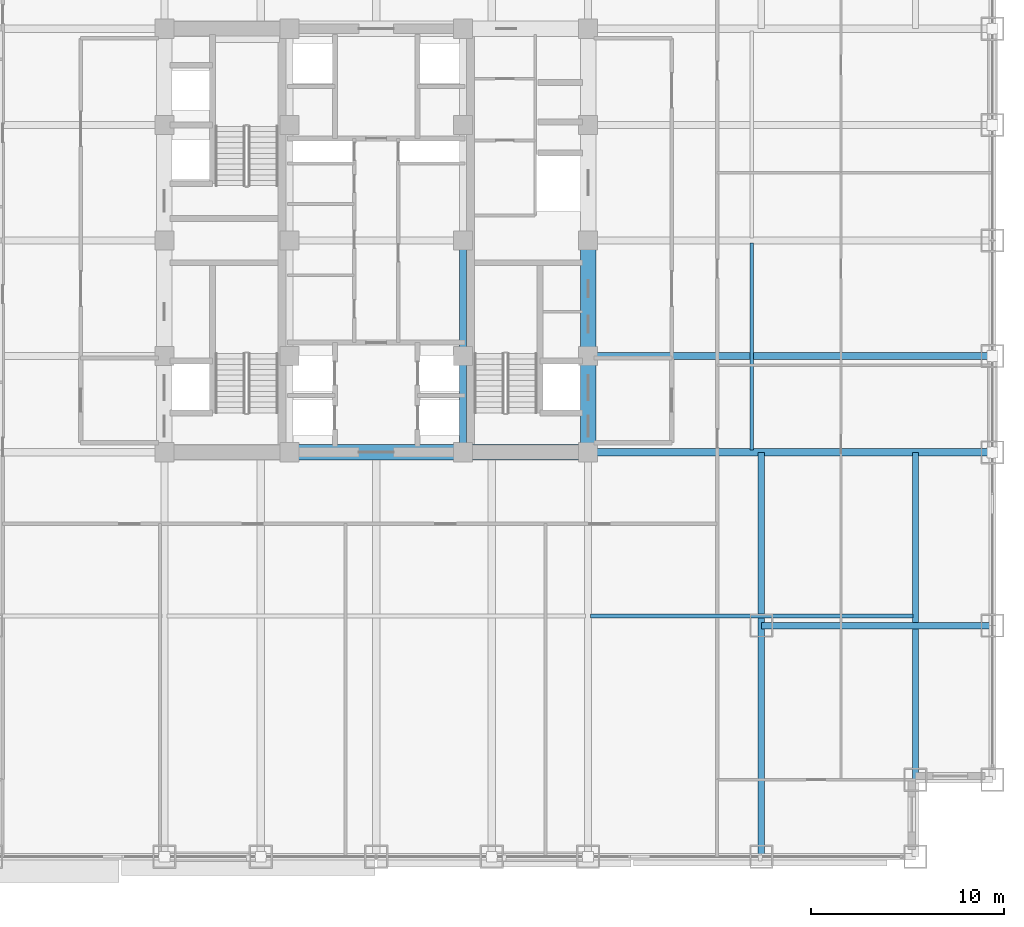
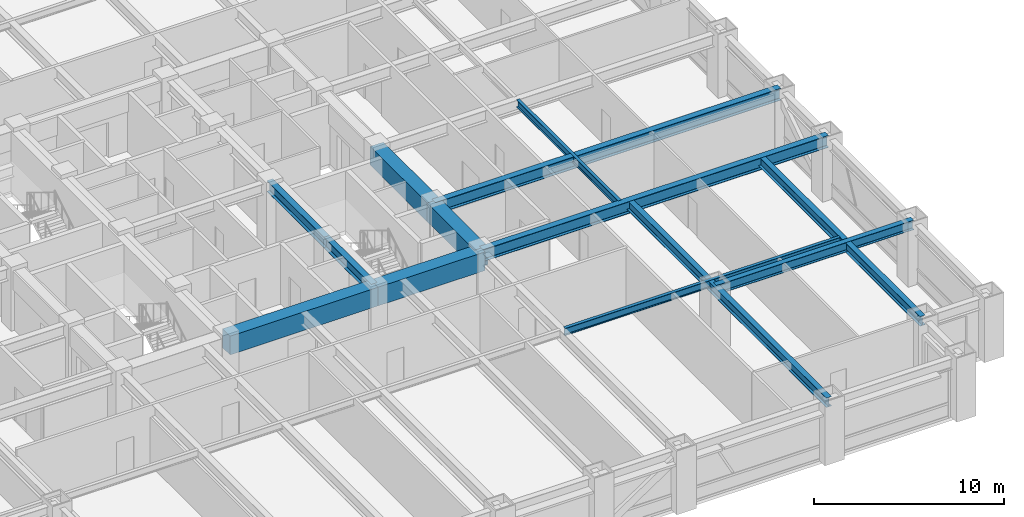
# One storey, part 7 of 32: 13 beams.
"""IFC4 building model written with IfcOpenShell, lengths in metres."""

from ifc_helpers import new_model, si_unit, direction, frame, origin, origin_2d, place, context, subcontext, project, spatial, rectangle, i_section, extrude, source, transform, mapped, material, material_profile, profile_set, type_object, element, save


model = new_model("IFC4")

# Units and contexts
model_context = context("Model", 3, precision=1e-05, world=origin(), true_north=direction((0.0, 1.0)))
body_context = subcontext(model_context, "Body", "Model", "MODEL_VIEW")
ifc_project = project(units=[si_unit("LENGTHUNIT", "METRE"), si_unit("AREAUNIT", "SQUARE_METRE"), si_unit("VOLUMEUNIT", "CUBIC_METRE"), si_unit("PLANEANGLEUNIT", "RADIAN"), si_unit("MASSUNIT", "GRAM", prefix="KILO")], contexts=[model_context])

# Site, building, storey
site_placement = place(None, origin())
site = spatial("IfcSite", under=ifc_project, at=site_placement, CompositionType="ELEMENT")
building_placement = place(site_placement, origin())
building = spatial("IfcBuilding", under=site, at=building_placement, Name="Khorayat Bourse Tower", CompositionType="ELEMENT")
storey_placement = place(building_placement, frame((0.0, 0.0, 132.39990234375)))
storey = spatial("IfcBuildingStorey", under=building, at=storey_placement, Name="L30", CompositionType="ELEMENT", Elevation=132.39990234375)

# Beams
ifc_material_1 = material(Name="Concrete C72/90", Category="concrete")
ifc_material_profile_1 = material_profile(ifc_material_1, rectangle(XDim=0.800048828125, YDim=1.199951171875, at=origin_2d()), Name="RC 800x1200")
ifc_profile_set_1 = profile_set([ifc_material_profile_1], Name="Concrete C72/90")
beam_type_1 = type_object("IfcBeamType", Name="BM-COUP-1200", PredefinedType="BEAM", material=ifc_profile_set_1)
shared_shape_1 = source(origin(), body_context, "Body", "SweptSolid", [
    extrude(rectangle(XDim=0.800048828125, YDim=1.199951171875, at=origin_2d()), origin(), (0.0, 0.0, 1.0), 5.0),
])
beam_1_placement = place(storey_placement, frame((11.0, -11.0, 3.239990234375), z_axis=(0.0, 1.0, 0.0), x_axis=(-1.0, 0.0, 0.0)))
element("IfcBeam", 1, at=beam_1_placement, inside=storey, type_object=beam_type_1, Name="L30 BM-COUP-1200 BM-L30-CRX-13", PredefinedType="BEAM", context=body_context, shape_type="MappedRepresentation", body=[
    mapped(shared_shape_1, transform((0.0, 0.0, 0.0), scale=1.0)),
])
shared_shape_2 = source(origin(), body_context, "Body", "SweptSolid", [
    extrude(rectangle(XDim=0.800048828125, YDim=1.199951171875, at=origin_2d()), origin(), (0.0, 0.0, 1.0), 6.0),
])
beam_2_placement = place(storey_placement, frame((11.0, -6.0, 3.239990234375), z_axis=(0.0, 1.0, 0.0), x_axis=(-1.0, 0.0, 0.0)))
element("IfcBeam", 2, at=beam_2_placement, inside=storey, type_object=beam_type_1, Name="L30 BM-COUP-1200 BM-L30-CRX-14", PredefinedType="BEAM", context=body_context, shape_type="MappedRepresentation", body=[
    mapped(shared_shape_2, transform((0.0, 0.0, 0.0), scale=1.0)),
])
ifc_material_2 = material(Name="Steel ASTM A992 Grade 50", Category="steel")
ifc_material_profile_2 = material_profile(ifc_material_2, i_section(OverallWidth=0.35498046875, OverallDepth=0.695068359375, WebThickness=0.015380859375, FlangeThickness=0.02490234375, FilletRadius=0.01806640625, at=origin_2d()), Name="W690X217")
ifc_profile_set_2 = profile_set([ifc_material_profile_2], Name="Steel ASTM A992 Grade 50")
beam_type_2 = type_object("IfcBeamType", Name="BM-GIRD-690", PredefinedType="BEAM", material=ifc_profile_set_2)
shared_shape_3 = source(origin(), body_context, "Body", "SweptSolid", [
    extrude(i_section(OverallWidth=0.35498046875, OverallDepth=0.695068359375, WebThickness=0.015380859375, FlangeThickness=0.02490234375, FilletRadius=0.01806640625, at=origin_2d()), origin(), (0.0, 0.0, 1.0), 5.0),
])
beam_3_placement = place(storey_placement, frame((4.5, -11.0, 3.49267578125), z_axis=(0.0, 1.0, 0.0), x_axis=(-1.0, 0.0, 0.0)))
element("IfcBeam", 3, at=beam_3_placement, inside=storey, type_object=beam_type_2, Name="L30 BM-GIRD-690 BM-L30-CRX-09", PredefinedType="BEAM", context=body_context, shape_type="MappedRepresentation", body=[
    mapped(shared_shape_3, transform((0.0, 0.0, 0.0), scale=1.0)),
])
shared_shape_4 = source(origin(), body_context, "Body", "SweptSolid", [
    extrude(i_section(OverallWidth=0.35498046875, OverallDepth=0.695068359375, WebThickness=0.015380859375, FlangeThickness=0.02490234375, FilletRadius=0.01806640625, at=origin_2d()), origin(), (0.0, 0.0, 1.0), 6.0),
])
beam_4_placement = place(storey_placement, frame((4.5, -6.0, 3.49267578125), z_axis=(0.0, 1.0, 0.0), x_axis=(-1.0, 0.0, 0.0)))
element("IfcBeam", 4, at=beam_4_placement, inside=storey, type_object=beam_type_2, Name="L30 BM-GIRD-690 BM-L30-CRX-10", PredefinedType="BEAM", context=body_context, shape_type="MappedRepresentation", body=[
    mapped(shared_shape_4, transform((0.0, 0.0, 0.0), scale=1.0)),
])
shared_shape_5 = source(origin(), body_context, "Body", "SweptSolid", [
    extrude(rectangle(XDim=0.800048828125, YDim=1.199951171875, at=origin_2d()), origin(), (0.0, 0.0, 1.0), 6.5),
])
beam_5_placement = place(storey_placement, frame((4.5, -11.0, 3.239990234375), z_axis=(1.0, 0.0, 0.0), x_axis=(0.0, 1.0, 0.0)))
element("IfcBeam", 5, at=beam_5_placement, inside=storey, type_object=beam_type_1, Name="L30 BM-COUP-1200 BM-L30-CRY-19", PredefinedType="BEAM", context=body_context, shape_type="MappedRepresentation", body=[
    mapped(shared_shape_5, transform((0.0, 0.0, 0.0), scale=1.0)),
])
shared_shape_6 = source(origin(), body_context, "Body", "SweptSolid", [
    extrude(rectangle(XDim=0.800048828125, YDim=1.199951171875, at=origin_2d()), origin(), (0.0, 0.0, 1.0), 9.0),
])
beam_6_placement = place(storey_placement, frame((-4.5, -11.0, 3.239990234375), z_axis=(1.0, 0.0, 0.0), x_axis=(0.0, 1.0, 0.0)))
element("IfcBeam", 6, at=beam_6_placement, inside=storey, type_object=beam_type_1, Name="L30 BM-COUP-1200 BM-L30-CRY-18", PredefinedType="BEAM", context=body_context, shape_type="MappedRepresentation", body=[
    mapped(shared_shape_6, transform((0.0, 0.0, 0.0), scale=1.0)),
])
ifc_material_profile_3 = material_profile(ifc_material_2, i_section(OverallWidth=0.324951171875, OverallDepth=0.615966796875, WebThickness=0.013916015625, FlangeThickness=0.021484375, FilletRadius=0.01611328125, at=origin_2d()), Name="W610X174")
ifc_profile_set_3 = profile_set([ifc_material_profile_3], Name="Steel ASTM A992 Grade 50")
beam_type_3 = type_object("IfcBeamType", Name="BM-GIRD-610", PredefinedType="BEAM", material=ifc_profile_set_3)
shared_shape_7 = source(origin(), body_context, "Body", "SweptSolid", [
    extrude(i_section(OverallWidth=0.324951171875, OverallDepth=0.615966796875, WebThickness=0.013916015625, FlangeThickness=0.021484375, FilletRadius=0.01611328125, at=origin_2d()), origin(), (0.0, 0.0, 1.0), 21.0),
])
beam_7_placement = place(storey_placement, frame((20.0, -32.0, 3.531982421875), z_axis=(0.0, 1.0, 0.0), x_axis=(-1.0, 0.0, 0.0)))
element("IfcBeam", 7, at=beam_7_placement, inside=storey, type_object=beam_type_3, Name="L30 BM-GIRD-610 BM-L30-CNRY-086", PredefinedType="BEAM", context=body_context, shape_type="MappedRepresentation", body=[
    mapped(shared_shape_7, transform((0.0, 0.0, 0.0), scale=1.0)),
])
shared_shape_8 = source(origin(), body_context, "Body", "SweptSolid", [
    extrude(i_section(OverallWidth=0.324951171875, OverallDepth=0.615966796875, WebThickness=0.013916015625, FlangeThickness=0.021484375, FilletRadius=0.01611328125, at=origin_2d()), origin(), (0.0, 0.0, 1.0), 12.0),
])
beam_8_placement = place(storey_placement, frame((20.0, -20.0, 3.531982421875), z_axis=(1.0, 0.0, 0.0), x_axis=(0.0, 1.0, 0.0)))
element("IfcBeam", 8, at=beam_8_placement, inside=storey, type_object=beam_type_3, Name="L30 BM-GIRD-610 BM-L30-CNRX-092", PredefinedType="BEAM", context=body_context, shape_type="MappedRepresentation", body=[
    mapped(shared_shape_8, transform((0.0, 0.0, 0.0), scale=1.0)),
])
ifc_material_profile_4 = material_profile(ifc_material_2, i_section(OverallWidth=0.194091796875, OverallDepth=0.468994140625, WebThickness=0.0126953125, FlangeThickness=0.0205078125, FilletRadius=0.012939453125, at=origin_2d()), Name="W460X106")
ifc_profile_set_4 = profile_set([ifc_material_profile_4], Name="Steel ASTM A992 Grade 50")
beam_type_4 = type_object("IfcBeamType", Name="BM-JOIST-460", PredefinedType="JOIST", material=ifc_profile_set_4)
shared_shape_9 = source(origin(), body_context, "Body", "SweptSolid", [
    extrude(i_section(OverallWidth=0.194091796875, OverallDepth=0.468994140625, WebThickness=0.0126953125, FlangeThickness=0.0205078125, FilletRadius=0.012939453125, at=origin_2d()), origin(), (0.0, 0.0, 1.0), 10.740234375),
])
beam_9_placement = place(storey_placement, frame((19.5, -10.8701171875, 3.605712890625), z_axis=(0.0, 1.0, 0.0), x_axis=(-1.0, 0.0, 0.0)))
element("IfcBeam", 9, at=beam_9_placement, inside=storey, type_object=beam_type_4, Name="L30 BM-JOIST-460 BM-L30-JSTY-104", PredefinedType="JOIST", context=body_context, shape_type="MappedRepresentation", body=[
    mapped(shared_shape_9, transform((0.0, 0.0, 0.0), scale=1.0)),
])
ifc_material_profile_5 = material_profile(ifc_material_2, i_section(OverallWidth=0.381103515625, OverallDepth=0.77294921875, WebThickness=0.0166015625, FlangeThickness=0.027587890625, FilletRadius=0.01806640625, at=origin_2d()), Name="W760X257")
ifc_profile_set_5 = profile_set([ifc_material_profile_5], Name="Steel ASTM A992 Grade 50")
beam_type_5 = type_object("IfcBeamType", Name="BM-GIRD-760", PredefinedType="BEAM", material=ifc_profile_set_5)
shared_shape_10 = source(origin(), body_context, "Body", "SweptSolid", [
    extrude(i_section(OverallWidth=0.381103515625, OverallDepth=0.77294921875, WebThickness=0.0166015625, FlangeThickness=0.027587890625, FilletRadius=0.01806640625, at=origin_2d()), origin(), (0.0, 0.0, 1.0), 21.0),
])
for number, where, z_axis, x_axis, name in (
    (10, (11.0, -11.0, 3.45361328125), (1.0, 0.0, 0.0), (0.0, 1.0, 0.0), "L30 BM-GIRD-760 BM-L30-RADX-074"),
    (11, (11.0, -6.0, 3.45361328125), (1.0, 0.0, 0.0), (0.0, 1.0, 0.0), "L30 BM-GIRD-760 BM-L30-RADX-076"),
):
    element("IfcBeam", number, at=place(storey_placement, frame(where, z_axis=z_axis, x_axis=x_axis)), inside=storey, type_object=beam_type_5, Name=name, PredefinedType="BEAM", context=body_context, shape_type="MappedRepresentation", body=[
        mapped(shared_shape_10, transform((0.0, 0.0, 0.0), scale=1.0)),
    ])
shared_shape_11 = source(origin(), body_context, "Body", "SweptSolid", [
    extrude(i_section(OverallWidth=0.324951171875, OverallDepth=0.615966796875, WebThickness=0.013916015625, FlangeThickness=0.021484375, FilletRadius=0.01611328125, at=origin_2d()), origin(), (0.0, 0.0, 1.0), 17.0),
])
beam_10_placement = place(storey_placement, frame((28.0, -28.0, 3.531982421875), z_axis=(0.0, 1.0, 0.0), x_axis=(-1.0, 0.0, 0.0)))
element("IfcBeam", 12, at=beam_10_placement, inside=storey, type_object=beam_type_3, Name="L30 BM-GIRD-610 BM-L30-CNRY-090", PredefinedType="BEAM", context=body_context, shape_type="MappedRepresentation", body=[
    mapped(shared_shape_11, transform((0.0, 0.0, 0.0), scale=1.0)),
])
shared_shape_12 = source(origin(), body_context, "Body", "SweptSolid", [
    extrude(i_section(OverallWidth=0.194091796875, OverallDepth=0.468994140625, WebThickness=0.0126953125, FlangeThickness=0.0205078125, FilletRadius=0.012939453125, at=origin_2d()), origin(), (0.0, 0.0, 1.0), 16.740234375),
])
beam_11_placement = place(storey_placement, frame((11.1298828125, -19.5, 3.605712890625), z_axis=(1.0, 0.0, 0.0), x_axis=(0.0, 1.0, 0.0)))
element("IfcBeam", 13, at=beam_11_placement, inside=storey, type_object=beam_type_4, Name="L30 BM-JOIST-460 BM-L30-JSTX-098", PredefinedType="JOIST", context=body_context, shape_type="MappedRepresentation", body=[
    mapped(shared_shape_12, transform((0.0, 0.0, 0.0), scale=1.0)),
])

save(model, "model.ifc")
